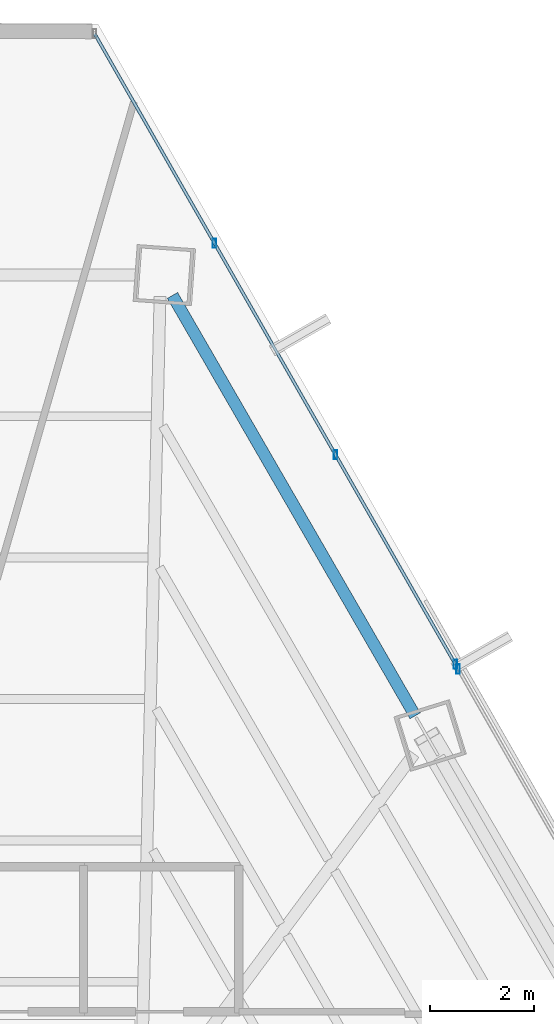
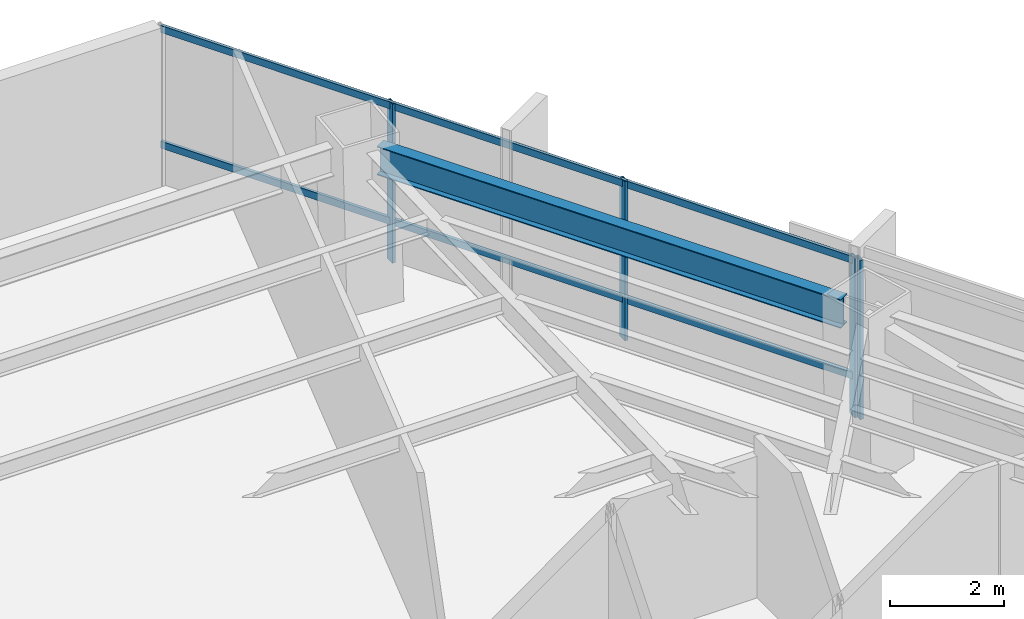
# One storey, part 29 of 36: 6 members, 1 beam, 2 elements without a shape of their own.
"""IFC4 building model written with IfcOpenShell, lengths in metres."""

from ifc_helpers import new_model, si_unit, direction, frame, origin, origin_2d, place, context, subcontext, project, spatial, hollow_rectangle, i_section, extrude, source, transform, mapped, material, material_profile, profile_set, type_object, type_shapes, element, aggregate, save


model = new_model("IFC4")

# Units and contexts
model_context = context("Model", 3, precision=1e-05, world=origin(), true_north=direction((0.0, 1.0)))
body_context = subcontext(model_context, "Body", "Model", "MODEL_VIEW")
ifc_project = project(units=[si_unit("LENGTHUNIT", "METRE"), si_unit("AREAUNIT", "SQUARE_METRE"), si_unit("VOLUMEUNIT", "CUBIC_METRE"), si_unit("PLANEANGLEUNIT", "RADIAN"), si_unit("MASSUNIT", "GRAM", prefix="KILO")], contexts=[model_context])

# Site, building, storey
site_placement = place(None, origin())
site = spatial("IfcSite", under=ifc_project, at=site_placement, CompositionType="ELEMENT")
building_placement = place(site_placement, origin())
building = spatial("IfcBuilding", under=site, at=building_placement, Name="Caelisora Broadcast Tower", CompositionType="ELEMENT")
storey_placement = place(building_placement, frame((0.0, 0.0, 83.5)))
storey = spatial("IfcBuildingStorey", under=building, at=storey_placement, Name="L21", CompositionType="ELEMENT", Elevation=83.5)

# Beam
ifc_material_1 = material(Name="Steel Grade 350 (AS/NZS 3679.1)", Category="steel")
ifc_material_profile_1 = material_profile(ifc_material_1, i_section(OverallWidth=0.22900390625, OverallDepth=0.611572265625, WebThickness=0.011962890625, FlangeThickness=0.01953125, at=origin_2d()), Name="Steel Grade 350 (AS/NZS 3679.1)")
ifc_profile_set_1 = profile_set([ifc_material_profile_1], Name="Steel Grade 350 (AS/NZS 3679.1)")
beam_type = type_object("IfcBeamType", Name="PG03", PredefinedType="BEAM", material=ifc_profile_set_1)
shared_shape_1 = source(origin(), body_context, "Body", "SweptSolid", [
    extrude(i_section(OverallWidth=0.22900390625, OverallDepth=0.611572265625, WebThickness=0.011962890625, FlangeThickness=0.01953125, at=origin_2d()), origin(), (0.0, 0.0, 1.0), 9.36962890625),
])
type_shapes(beam_type, [shared_shape_1])
beam_placement = place(storey_placement, frame((50.8037109375, 37.8642578125, 3.09423828125), z_axis=(-0.500003643774, 0.86602330004, 0.0), x_axis=(-0.86602330004, -0.500003643774, 0.0)))
element("IfcBeam", 1, at=beam_placement, inside=storey, type_object=beam_type, Name="L21 beam PG03", PredefinedType="BEAM", context=body_context, shape_type="MappedRepresentation", body=[
    mapped(shared_shape_1, transform((0.0, 0.0, 0.0), scale=1.0)),
])

# Curtain wall, members
ifc_material_2 = material(Name="Unitised Aluminium and Low-E Glass Curtain Wall", Category="glass")
curtain_wall_type_1 = type_object("IfcCurtainWallType", Name="CW-Z2", PredefinedType="NOTDEFINED", material=ifc_material_2)
curtain_wall_1_placement = place(storey_placement, origin())
curtain_wall_1 = element("IfcCurtainWall", 2, at=curtain_wall_1_placement, inside=storey, type_object=curtain_wall_type_1, Name="L21 curtain wall CW-Z2", PredefinedType="NOTDEFINED")
ifc_material_3 = material(Name="Aluminium 6063-T6 Anodised Terracotta Bronze", Category="aluminium")
ifc_material_profile_2 = material_profile(ifc_material_3, hollow_rectangle(XDim=0.06494140625, YDim=0.179931640625, WallThickness=0.00341796875, at=origin_2d()), Name="Aluminium 6063-T6 Anodised Terracotta Bronze")
ifc_profile_set_2 = profile_set([ifc_material_profile_2], Name="Aluminium 6063-T6 Anodised Terracotta Bronze")
member_type_1 = type_object("IfcMemberType", Name="CWM-02", PredefinedType="MULLION", material=ifc_profile_set_2)
shared_shape_2 = source(origin(), body_context, "Body", "SweptSolid", [
    extrude(hollow_rectangle(XDim=0.06494140625, YDim=0.179931640625, WallThickness=0.00341796875, at=origin_2d()), origin(), (0.0, 0.0, 1.0), 3.39990234375),
])
type_shapes(member_type_1, [shared_shape_2])
member_1_placement = place(storey_placement, frame((46.929443359375, 46.9873046875, 0.0), z_axis=(0.0, 0.0, 1.0), x_axis=(1.0, 0.0, 0.0)))
member_1 = element("IfcMember", 3, at=member_1_placement, type_object=member_type_1, Name="L21-CW-B01 mullion #1", PredefinedType="MULLION", context=body_context, shape_type="MappedRepresentation", body=[
    mapped(shared_shape_2, transform((0.0, 0.0, 0.0), scale=1.0)),
])
member_2_placement = place(storey_placement, frame((49.266845703125, 42.90185546875, 0.0), z_axis=(0.0, 0.0, 1.0), x_axis=(1.0, 0.0, 0.0)))
member_2 = element("IfcMember", 4, at=member_2_placement, type_object=member_type_1, Name="L21-CW-B01 mullion #2", PredefinedType="MULLION", context=body_context, shape_type="MappedRepresentation", body=[
    mapped(shared_shape_2, transform((0.0, 0.0, 0.0), scale=1.0)),
])
member_3_placement = place(storey_placement, frame((51.579345703125, 38.859619140625, 0.0), z_axis=(0.0, 0.0, 1.0), x_axis=(1.0, 0.0, 0.0)))
member_3 = element("IfcMember", 5, at=member_3_placement, type_object=member_type_1, Name="L21-CW-B01 mullion #3", PredefinedType="MULLION", context=body_context, shape_type="MappedRepresentation", body=[
    mapped(shared_shape_2, transform((0.0, 0.0, 0.0), scale=1.0)),
])

# Curtain wall, member
ifc_material_4 = material(Name="Unitised Aluminium Insulated Shadow-Box Spandrel Curtain Wall", Category="aluminium")
curtain_wall_type_2 = type_object("IfcCurtainWallType", Name="CW-SP1", PredefinedType="NOTDEFINED", material=ifc_material_4)
curtain_wall_2_placement = place(storey_placement, origin())
curtain_wall_2 = element("IfcCurtainWall", 6, at=curtain_wall_2_placement, inside=storey, type_object=curtain_wall_type_2, Name="L21 curtain wall CW-SP1", PredefinedType="NOTDEFINED")
member_4_placement = place(storey_placement, frame((51.634033203125, 38.76416015625, 0.0), z_axis=(0.0, 0.0, 1.0), x_axis=(1.0, 0.0, 0.0)))
member_4 = element("IfcMember", 7, at=member_4_placement, type_object=member_type_1, Name="L21-CW-B02 mullion #0", PredefinedType="MULLION", context=body_context, shape_type="MappedRepresentation", body=[
    mapped(shared_shape_2, transform((0.0, 0.0, 0.0), scale=1.0)),
])
aggregate(curtain_wall_2, [member_4])

# Member
ifc_material_profile_3 = material_profile(ifc_material_3, hollow_rectangle(XDim=0.06005859375, YDim=0.14990234375, WallThickness=0.00341796875, at=origin_2d()), Name="Aluminium 6063-T6 Anodised Terracotta Bronze")
ifc_profile_set_3 = profile_set([ifc_material_profile_3], Name="Aluminium 6063-T6 Anodised Terracotta Bronze")
member_type_2 = type_object("IfcMemberType", Name="CWT-02", PredefinedType="USERDEFINED", material=ifc_profile_set_3)
shared_shape_3 = source(origin(), body_context, "Body", "SweptSolid", [
    extrude(hollow_rectangle(XDim=0.06005859375, YDim=0.14990234375, WallThickness=0.00341796875, at=origin_2d()), origin(), (0.0, 0.0, 1.0), 14.02099609375),
])
type_shapes(member_type_2, [shared_shape_3])
member_5_placement = place(storey_placement, frame((44.61669921875, 51.029541015625, 0.85009765625), z_axis=(0.49659079587, -0.867984781812, 0.0), x_axis=(0.867984781812, 0.49659079587, 0.0)))
member_5 = element("IfcMember", 8, at=member_5_placement, type_object=member_type_2, Name="L21-CW-B01 transom #1", ObjectType="TRANSOM", PredefinedType="USERDEFINED", context=body_context, shape_type="MappedRepresentation", body=[
    mapped(shared_shape_3, transform((0.0, 0.0, 0.0), scale=1.0)),
])

member_6_placement = place(storey_placement, frame((44.61669921875, 51.029541015625, 3.320068359375), z_axis=(0.49659079587, -0.867984781812, 0.0), x_axis=(0.867984781812, 0.49659079587, 0.0)))
member_6 = element("IfcMember", 9, at=member_6_placement, type_object=member_type_2, Name="L21-CW-B01 transom #2", ObjectType="TRANSOM", PredefinedType="USERDEFINED", context=body_context, shape_type="MappedRepresentation", body=[
    mapped(shared_shape_3, transform((0.0, 0.0, 0.0), scale=1.0)),
])

aggregate(curtain_wall_1, [member_1, member_2, member_3, member_5, member_6])

save(model, "model.ifc")
